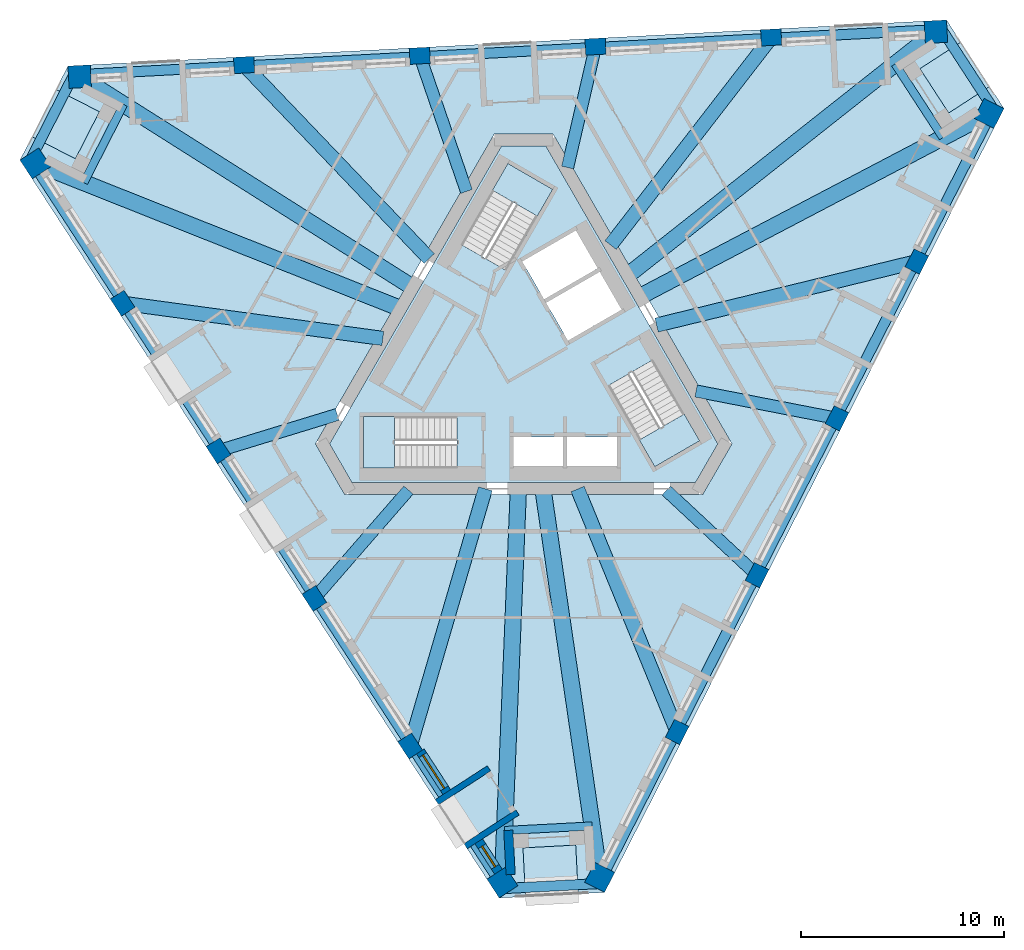
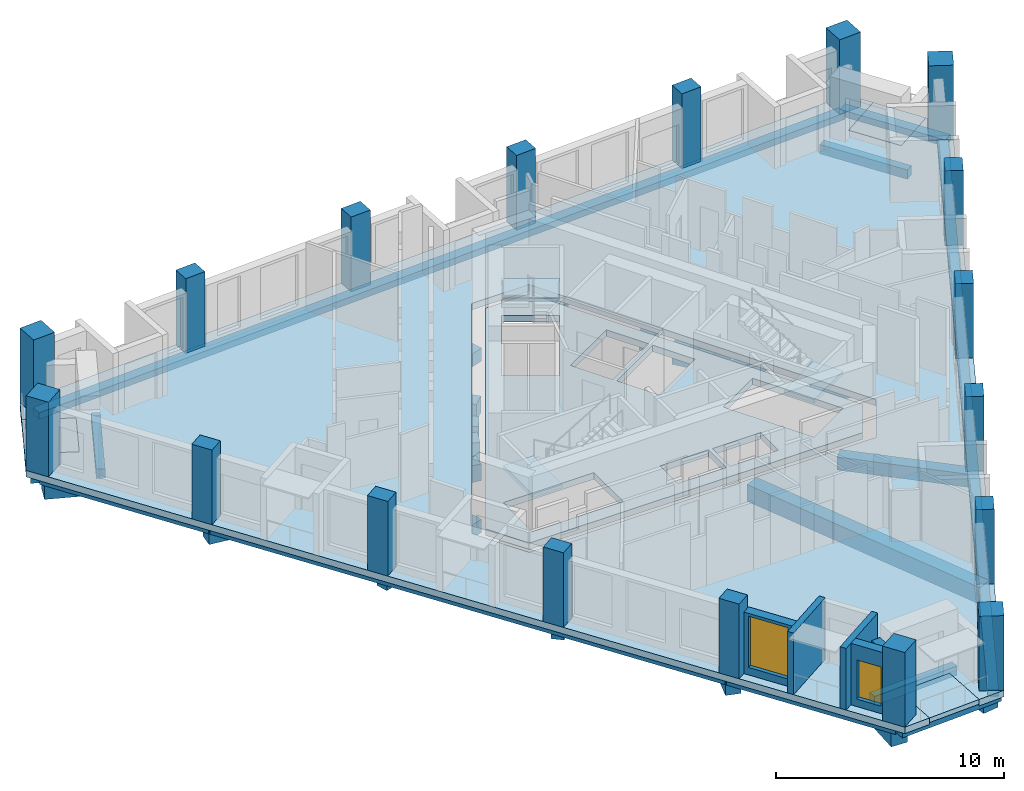
# One storey, part 1 of 12: 27 beams, 18 columns, 8 slabs, 5 walls, 2 windows, 2 openings, 3 elements without a shape of their own.
"""IFC4 building model written with IfcOpenShell, lengths in metres."""

from ifc_helpers import new_model, si_unit, direction, frame, frame_2d, origin, origin_2d, place, context, subcontext, project, spatial, polyline, rectangle, outline, extrude, material, layer, layer_set, material_profile, profile_set, type_object, element, fill, aggregate, save


model = new_model("IFC4")

# Units and contexts
model_context = context("Model", 3, precision=1e-05, world=origin(), true_north=direction((0.0, 1.0)))
body_context = subcontext(model_context, "Body", "Model", "MODEL_VIEW")
ifc_project = project(units=[si_unit("LENGTHUNIT", "METRE"), si_unit("AREAUNIT", "SQUARE_METRE"), si_unit("VOLUMEUNIT", "CUBIC_METRE"), si_unit("PLANEANGLEUNIT", "RADIAN"), si_unit("MASSUNIT", "GRAM", prefix="KILO")], contexts=[model_context])

# Site, building, storey
site_placement = place(None, origin())
site = spatial("IfcSite", under=ifc_project, at=site_placement, CompositionType="ELEMENT")
building_placement = place(site_placement, origin())
building = spatial("IfcBuilding", under=site, at=building_placement, Name="Tramontana Tower", CompositionType="ELEMENT")
storey_placement = place(building_placement, frame((0.0, 0.0, 302.39990234375)))
storey = spatial("IfcBuildingStorey", under=building, at=storey_placement, Name="L71", CompositionType="ELEMENT", Elevation=302.39990234375)

# Columns
ifc_material_1 = material(Name="Concrete 55 MPa", Category="concrete")
ifc_material_profile_1 = material_profile(ifc_material_1, rectangle(XDim=1.10009765625, YDim=1.10009765625, at=origin_2d()), Name="Mega column 1100X1100 55 MPa")
ifc_profile_set_1 = profile_set([ifc_material_profile_1], Name="Concrete 55 MPa")
column_type_1 = type_object("IfcColumnType", Name="Mega column 1100X1100 55 MPa", PredefinedType="COLUMN", material=ifc_profile_set_1)
for number, where, z_axis, x_axis, name in (
    (1, (-24.0302734375, 9.55419921875, 0.0), (0.0, 0.0, 1.0), (0.544639035015, -0.838670567945, 0.0), "Mega column C7K1 L71"),
    (2, (-1.0458984375, -25.8388671875, 0.0), (0.0, 0.0, 1.0), (0.544639035015, -0.838670567945, 0.0), "Mega column C7K2 L71"),
    (3, (3.740966796875, -25.587890625, 0.0), (0.0, 0.0, 1.0), (0.45399049974, 0.891006524188, 0.0), "Mega column C7K3 L71"),
    (4, (22.900146484375, 12.013671875, 0.0), (0.0, 0.0, 1.0), (0.45399049974, 0.891006524188, 0.0), "Mega column C7K4 L71"),
    (5, (20.289306640625, 16.033935546875, 0.0), (0.0, 0.0, 1.0), (-0.998629534755, -0.052335956243, 0.0), "Mega column C7K5 L71"),
    (6, (-21.854248046875, 13.8251953125, 0.0), (0.0, 0.0, 1.0), (-0.998629534755, -0.052335956243, 0.0), "Mega column C7K6 L71"),
):
    element("IfcColumn", number, at=place(storey_placement, frame(where, z_axis=z_axis, x_axis=x_axis)), inside=storey, type_object=column_type_1, Name=name, PredefinedType="COLUMN", context=body_context, shape_type="SweptSolid", body=[
        extrude(rectangle(XDim=1.10009765625, YDim=1.10009765625, at=origin_2d()), origin(), (0.0, 0.0, 1.0), 4.0),
    ])
ifc_material_2 = material(Name="Concrete 55 MPa", Category="concrete")
ifc_material_profile_2 = material_profile(ifc_material_2, rectangle(XDim=1.0, YDim=0.800048828125, at=origin_2d()), Name="Pier column 1000X800 55 MPa")
ifc_profile_set_2 = profile_set([ifc_material_profile_2], Name="Concrete 55 MPa")
column_type_2 = type_object("IfcColumnType", Name="Pier column 1000X800 55 MPa", PredefinedType="COLUMN", material=ifc_profile_set_2)
for number, where, z_axis, x_axis, name in (
    (7, (-19.739013671875, 2.670654296875, 0.0), (0.0, 0.0, 1.0), (0.544639035015, -0.838670567945, 0.0), "Pier column C7F01 L71"),
    (8, (-15.022216796875, -4.592529296875, 0.0), (0.0, 0.0, 1.0), (0.544639035015, -0.838670567945, 0.0), "Pier column C7F02 L71"),
    (9, (-10.3056640625, -11.855712890625, 0.0), (0.0, 0.0, 1.0), (0.544639035015, -0.838670567945, 0.0), "Pier column C7F03 L71"),
    (10, (-5.5888671875, -19.11865234375, 0.0), (0.0, 0.0, 1.0), (0.544639035015, -0.838670567945, 0.0), "Pier column C7F04 L71"),
    (11, (7.556640625, -18.4296875, 0.0), (0.0, 0.0, 1.0), (0.45399049974, 0.891006524188, 0.0), "Pier column C7F05 L71"),
    (12, (11.48828125, -10.71337890625, 0.0), (0.0, 0.0, 1.0), (0.45399049974, 0.891006524188, 0.0), "Pier column C7F06 L71"),
    (13, (15.419921875, -2.9970703125, 0.0), (0.0, 0.0, 1.0), (0.45399049974, 0.891006524188, 0.0), "Pier column C7F07 L71"),
    (14, (19.351806640625, 4.71923828125, 0.0), (0.0, 0.0, 1.0), (0.45399049974, 0.891006524188, 0.0), "Pier column C7F08 L71"),
    (15, (12.182373046875, 15.75927734375, 0.0), (0.0, 0.0, 1.0), (-0.998629534755, -0.052335956243, 0.0), "Pier column C7F09 L71"),
    (16, (3.533935546875, 15.305908203125, 0.0), (0.0, 0.0, 1.0), (-0.998629534755, -0.052335956243, 0.0), "Pier column C7F10 L71"),
    (17, (-5.114501953125, 14.852783203125, 0.0), (0.0, 0.0, 1.0), (-0.998629534755, -0.052335956243, 0.0), "Pier column C7F11 L71"),
    (18, (-13.762939453125, 14.3994140625, 0.0), (0.0, 0.0, 1.0), (-0.998629534755, -0.052335956243, 0.0), "Pier column C7F12 L71"),
):
    element("IfcColumn", number, at=place(storey_placement, frame(where, z_axis=z_axis, x_axis=x_axis)), inside=storey, type_object=column_type_2, Name=name, PredefinedType="COLUMN", context=body_context, shape_type="SweptSolid", body=[
        extrude(rectangle(XDim=1.0, YDim=0.800048828125, at=origin_2d()), origin(), (0.0, 0.0, 1.0), 4.0),
    ])

# Beams
ifc_material_3 = material(Name="Concrete 40 MPa", Category="concrete")
ifc_material_profile_3 = material_profile(ifc_material_3, rectangle(XDim=0.5, YDim=0.35009765625, at=origin_2d()), Name="RC EDGE BEAM 500X350 40 MPa")
ifc_profile_set_3 = profile_set([ifc_material_profile_3], Name="Concrete 40 MPa")
beam_type_1 = type_object("IfcBeamType", Name="RC EDGE BEAM 500X350 40 MPa", PredefinedType="SPANDREL", material=ifc_profile_set_3)
beam_1_placement = place(storey_placement, frame((-24.1142578125, 9.499755859375, -0.52490234375), z_axis=(0.544636517119, -0.838672203081, 0.0), x_axis=(0.838672203081, 0.544636517119, 0.0)))
element("IfcBeam", 19, at=beam_1_placement, inside=storey, type_object=beam_type_1, Name="Spandrel beam S0 L71", PredefinedType="SPANDREL", context=body_context, shape_type="SweptSolid", body=[
    extrude(rectangle(XDim=0.5, YDim=0.35009765625, at=origin_2d()), origin(), (0.0, 0.0, 1.0), 42.201416015625),
])
beam_2_placement = place(storey_placement, frame((3.830078125, -25.63330078125, -0.52490234375), z_axis=(0.453990170761, 0.891006691811, 0.0), x_axis=(-0.891006691811, 0.453990170761, 0.0)))
element("IfcBeam", 20, at=beam_2_placement, inside=storey, type_object=beam_type_1, Name="Spandrel beam S1 L71", PredefinedType="SPANDREL", context=body_context, shape_type="SweptSolid", body=[
    extrude(rectangle(XDim=0.5, YDim=0.35009765625, at=origin_2d()), origin(), (0.0, 0.0, 1.0), 42.201171875),
])
beam_3_placement = place(storey_placement, frame((20.2841796875, 16.1337890625, -0.52490234375), z_axis=(-0.998629423141, -0.052338085918, 0.0), x_axis=(0.052338085918, -0.998629423141, 0.0)))
element("IfcBeam", 21, at=beam_3_placement, inside=storey, type_object=beam_type_1, Name="Spandrel beam S2 L71", PredefinedType="SPANDREL", context=body_context, shape_type="SweptSolid", body=[
    extrude(rectangle(XDim=0.5, YDim=0.35009765625, at=origin_2d()), origin(), (0.0, 0.0, 1.0), 42.201416015625),
])
for number, where, z_axis, x_axis, name in (
    (22, (-22.03125, 14.141357421875, -0.52490234375), (-0.453966603753, -0.891018699398, 0.0), (0.891018699398, -0.453966603753, 0.0), "Spandrel beam K0 L71"),
    (23, (-1.231201171875, -26.150390625, -0.52490234375), (0.99862935635, 0.05233936029, 0.0), (-0.05233936029, 0.99862935635, 0.0), "Spandrel beam K1 L71"),
    (24, (23.262451171875, 12.0087890625, -0.52490234375), (-0.544641495757, 0.838668969916, 0.0), (-0.838668969916, -0.544641495757, 0.0), "Spandrel beam K2 L71"),
):
    element("IfcBeam", number, at=place(storey_placement, frame(where, z_axis=z_axis, x_axis=x_axis)), inside=storey, type_object=beam_type_1, Name=name, PredefinedType="SPANDREL", context=body_context, shape_type="SweptSolid", body=[
        extrude(rectangle(XDim=0.5, YDim=0.35009765625, at=origin_2d()), origin(), (0.0, 0.0, 1.0), 5.1962890625),
    ])
ifc_material_4 = material(Name="Concrete 40 MPa", Category="concrete")
ifc_material_profile_4 = material_profile(ifc_material_4, rectangle(XDim=0.60009765625, YDim=0.699951171875, at=origin_2d()), Name="RC GIRDER 600X700 40 MPa")
ifc_profile_set_4 = profile_set([ifc_material_profile_4], Name="Concrete 40 MPa")
beam_type_2 = type_object("IfcBeamType", Name="RC GIRDER 600X700 40 MPa", PredefinedType="BEAM", material=ifc_profile_set_4)
beam_4_placement = place(storey_placement, frame((-15.022216796875, -4.592529296875, -0.699951171875), z_axis=(0.956311245936, 0.292350476137, 0.0), x_axis=(-0.292350476137, 0.956311245936, 0.0)))
element("IfcBeam", 25, at=beam_4_placement, inside=storey, type_object=beam_type_2, Name="Radial girder C7F02 L71", PredefinedType="BEAM", context=body_context, shape_type="SweptSolid", body=[
    extrude(rectangle(XDim=0.60009765625, YDim=0.699951171875, at=origin_2d()), origin(), (0.0, 0.0, 1.0), 6.111328125),
])
beam_5_placement = place(storey_placement, frame((-10.3056640625, -11.855712890625, -0.699951171875), z_axis=(0.656054652409, 0.754713384705, 0.0), x_axis=(-0.754713384705, 0.656054652409, 0.0)))
element("IfcBeam", 26, at=beam_5_placement, inside=storey, type_object=beam_type_2, Name="Radial girder C7F03 L71", PredefinedType="BEAM", context=body_context, shape_type="SweptSolid", body=[
    extrude(rectangle(XDim=0.60009765625, YDim=0.699951171875, at=origin_2d()), origin(), (0.0, 0.0, 1.0), 7.06494140625),
])
beam_6_placement = place(storey_placement, frame((11.48828125, -10.71337890625, -0.699951171875), z_axis=(-0.731344808312, 0.682007896843, 0.0), x_axis=(-0.682007896843, -0.731344808312, 0.0)))
element("IfcBeam", 27, at=beam_6_placement, inside=storey, type_object=beam_type_2, Name="Radial girder C7F06 L71", PredefinedType="BEAM", context=body_context, shape_type="SweptSolid", body=[
    extrude(rectangle(XDim=0.60009765625, YDim=0.699951171875, at=origin_2d()), origin(), (0.0, 0.0, 1.0), 6.111328125),
])
beam_7_placement = place(storey_placement, frame((15.419921875, -2.9970703125, -0.699951171875), z_axis=(-0.981630853668, 0.190790112761, 0.0), x_axis=(-0.190790112761, -0.981630853668, 0.0)))
element("IfcBeam", 28, at=beam_7_placement, inside=storey, type_object=beam_type_2, Name="Radial girder C7F07 L71", PredefinedType="BEAM", context=body_context, shape_type="SweptSolid", body=[
    extrude(rectangle(XDim=0.60009765625, YDim=0.699951171875, at=origin_2d()), origin(), (0.0, 0.0, 1.0), 7.06494140625),
])
beam_8_placement = place(storey_placement, frame((3.533935546875, 15.305908203125, -0.699951171875), z_axis=(-0.224955788451, -0.974368971818, 0.0), x_axis=(0.974368971818, -0.224955788451, 0.0)))
element("IfcBeam", 29, at=beam_8_placement, inside=storey, type_object=beam_type_2, Name="Radial girder C7F10 L71", PredefinedType="BEAM", context=body_context, shape_type="SweptSolid", body=[
    extrude(rectangle(XDim=0.60009765625, YDim=0.699951171875, at=origin_2d()), origin(), (0.0, 0.0, 1.0), 6.111328125),
])
beam_9_placement = place(storey_placement, frame((-5.114501953125, 14.852783203125, -0.699951171875), z_axis=(0.325583843266, -0.945513173364, 0.0), x_axis=(0.945513173364, 0.325583843266, 0.0)))
element("IfcBeam", 30, at=beam_9_placement, inside=storey, type_object=beam_type_2, Name="Radial girder C7F11 L71", PredefinedType="BEAM", context=body_context, shape_type="SweptSolid", body=[
    extrude(rectangle(XDim=0.60009765625, YDim=0.699951171875, at=origin_2d()), origin(), (0.0, 0.0, 1.0), 7.065185546875),
])
ifc_material_5 = material(Name="Concrete 40 MPa", Category="concrete")
ifc_material_profile_5 = material_profile(ifc_material_5, rectangle(XDim=0.699951171875, YDim=0.89990234375, at=origin_2d()), Name="RC GIRDER 700X900 40 MPa")
ifc_profile_set_5 = profile_set([ifc_material_profile_5], Name="Concrete 40 MPa")
beam_type_3 = type_object("IfcBeamType", Name="RC GIRDER 700X900 40 MPa", PredefinedType="BEAM", material=ifc_profile_set_5)
beam_10_placement = place(storey_placement, frame((-19.739013671875, 2.670654296875, -0.7998046875), z_axis=(0.990971820042, -0.134070324396, 0.0), x_axis=(0.134070324396, 0.990971820042, 0.0)))
element("IfcBeam", 31, at=beam_10_placement, inside=storey, type_object=beam_type_3, Name="Radial girder C7F01 L71", PredefinedType="BEAM", context=body_context, shape_type="SweptSolid", body=[
    extrude(rectangle(XDim=0.699951171875, YDim=0.89990234375, at=origin_2d()), origin(), (0.0, 0.0, 1.0), 12.923583984375),
])
beam_11_placement = place(storey_placement, frame((-5.5888671875, -19.11865234375, -0.7998046875), z_axis=(0.280592184152, 0.959827081402, 0.0), x_axis=(-0.959827081402, 0.280592184152, 0.0)))
element("IfcBeam", 32, at=beam_11_placement, inside=storey, type_object=beam_type_3, Name="Radial girder C7F04 L71", PredefinedType="BEAM", context=body_context, shape_type="SweptSolid", body=[
    extrude(rectangle(XDim=0.699951171875, YDim=0.89990234375, at=origin_2d()), origin(), (0.0, 0.0, 1.0), 13.186279296875),
])
beam_12_placement = place(storey_placement, frame((7.556640625, -18.4296875, -0.7998046875), z_axis=(-0.379376408021, 0.925242422848, 0.0), x_axis=(-0.925242422848, -0.379376408021, 0.0)))
element("IfcBeam", 33, at=beam_12_placement, inside=storey, type_object=beam_type_3, Name="Radial girder C7F05 L71", PredefinedType="BEAM", context=body_context, shape_type="SweptSolid", body=[
    extrude(rectangle(XDim=0.699951171875, YDim=0.89990234375, at=origin_2d()), origin(), (0.0, 0.0, 1.0), 12.92333984375),
])
beam_13_placement = place(storey_placement, frame((19.351806640625, 4.71923828125, -0.7998046875), z_axis=(-0.971531149173, -0.2369118532, 0.0), x_axis=(0.2369118532, -0.971531149173, 0.0)))
element("IfcBeam", 34, at=beam_13_placement, inside=storey, type_object=beam_type_3, Name="Radial girder C7F08 L71", PredefinedType="BEAM", context=body_context, shape_type="SweptSolid", body=[
    extrude(rectangle(XDim=0.699951171875, YDim=0.89990234375, at=origin_2d()), origin(), (0.0, 0.0, 1.0), 13.1865234375),
])
beam_14_placement = place(storey_placement, frame((12.182373046875, 15.75927734375, -0.7998046875), z_axis=(-0.611594268049, -0.791171568808, 0.0), x_axis=(0.791171568808, -0.611594268049, 0.0)))
element("IfcBeam", 35, at=beam_14_placement, inside=storey, type_object=beam_type_3, Name="Radial girder C7F09 L71", PredefinedType="BEAM", context=body_context, shape_type="SweptSolid", body=[
    extrude(rectangle(XDim=0.699951171875, YDim=0.89990234375, at=origin_2d()), origin(), (0.0, 0.0, 1.0), 12.923583984375),
])
beam_15_placement = place(storey_placement, frame((-13.762939453125, 14.3994140625, -0.7998046875), z_axis=(0.69094809316, -0.722904373039, 0.0), x_axis=(0.722904373039, 0.69094809316, 0.0)))
element("IfcBeam", 36, at=beam_15_placement, inside=storey, type_object=beam_type_3, Name="Radial girder C7F12 L71", PredefinedType="BEAM", context=body_context, shape_type="SweptSolid", body=[
    extrude(rectangle(XDim=0.699951171875, YDim=0.89990234375, at=origin_2d()), origin(), (0.0, 0.0, 1.0), 13.186279296875),
])
ifc_material_6 = material(Name="Concrete 40 MPa", Category="concrete")
ifc_material_profile_6 = material_profile(ifc_material_6, rectangle(XDim=0.800048828125, YDim=1.10009765625, at=origin_2d()), Name="RC GIRDER 800X1100 40 MPa")
ifc_profile_set_6 = profile_set([ifc_material_profile_6], Name="Concrete 40 MPa")
beam_type_4 = type_object("IfcBeamType", Name="RC GIRDER 800X1100 40 MPa", PredefinedType="BEAM", material=ifc_profile_set_6)
beam_16_placement = place(storey_placement, frame((-24.030517578125, 9.55419921875, -0.89990234375), z_axis=(0.929246961318, -0.369459178912, 0.0), x_axis=(0.369459178912, 0.929246961318, 0.0)))
element("IfcBeam", 37, at=beam_16_placement, inside=storey, type_object=beam_type_4, Name="Radial girder C7K1 L71", PredefinedType="BEAM", context=body_context, shape_type="SweptSolid", body=[
    extrude(rectangle(XDim=0.800048828125, YDim=1.10009765625, at=origin_2d()), origin(), (0.0, 0.0, 1.0), 19.33837890625),
])
beam_17_placement = place(storey_placement, frame((-1.0458984375, -25.8388671875, -0.89990234375), z_axis=(0.040449893492, 0.999181568143, 0.0), x_axis=(-0.999181568143, 0.040449893492, 0.0)))
element("IfcBeam", 38, at=beam_17_placement, inside=storey, type_object=beam_type_4, Name="Radial girder C7K2 L71", PredefinedType="BEAM", context=body_context, shape_type="SweptSolid", body=[
    extrude(rectangle(XDim=0.800048828125, YDim=1.10009765625, at=origin_2d()), origin(), (0.0, 0.0, 1.0), 19.404541015625),
])
beam_18_placement = place(storey_placement, frame((3.7412109375, -25.587890625, -0.89990234375), z_axis=(-0.144667438406, 0.989480334451, 0.0), x_axis=(-0.989480334451, -0.144667438406, 0.0)))
element("IfcBeam", 39, at=beam_18_placement, inside=storey, type_object=beam_type_4, Name="Radial girder C7K3 L71", PredefinedType="BEAM", context=body_context, shape_type="SweptSolid", body=[
    extrude(rectangle(XDim=0.800048828125, YDim=1.10009765625, at=origin_2d()), origin(), (0.0, 0.0, 1.0), 19.338134765625),
])
beam_19_placement = place(storey_placement, frame((22.89990234375, 12.013671875, -0.89990234375), z_axis=(-0.885538061337, -0.46456683257, 0.0), x_axis=(0.46456683257, -0.885538061337, 0.0)))
element("IfcBeam", 40, at=beam_19_placement, inside=storey, type_object=beam_type_4, Name="Radial girder C7K4 L71", PredefinedType="BEAM", context=body_context, shape_type="SweptSolid", body=[
    extrude(rectangle(XDim=0.800048828125, YDim=1.10009765625, at=origin_2d()), origin(), (0.0, 0.0, 1.0), 19.404296875),
])
beam_20_placement = place(storey_placement, frame((20.289306640625, 16.03369140625, -0.89990234375), z_axis=(-0.784585689125, -0.620020400003, 0.0), x_axis=(0.620020400003, -0.784585689125, 0.0)))
element("IfcBeam", 41, at=beam_20_placement, inside=storey, type_object=beam_type_4, Name="Radial girder C7K5 L71", PredefinedType="BEAM", context=body_context, shape_type="SweptSolid", body=[
    extrude(rectangle(XDim=0.800048828125, YDim=1.10009765625, at=origin_2d()), origin(), (0.0, 0.0, 1.0), 19.338134765625),
])
beam_21_placement = place(storey_placement, frame((-21.85400390625, 13.8251953125, -0.89990234375), z_axis=(0.845090437102, -0.53462337502, 0.0), x_axis=(0.53462337502, 0.845090437102, 0.0)))
element("IfcBeam", 42, at=beam_21_placement, inside=storey, type_object=beam_type_4, Name="Radial girder C7K6 L71", PredefinedType="BEAM", context=body_context, shape_type="SweptSolid", body=[
    extrude(rectangle(XDim=0.800048828125, YDim=1.10009765625, at=origin_2d()), origin(), (0.0, 0.0, 1.0), 19.404296875),
])
ifc_material_7 = material(Name="Concrete 40 MPa", Category="concrete")
ifc_material_profile_7 = material_profile(ifc_material_7, rectangle(XDim=0.39990234375, YDim=0.5, at=origin_2d()), Name="RC TRIM BEAM 400X500 40 MPa")
ifc_profile_set_7 = profile_set([ifc_material_profile_7], Name="Concrete 40 MPa")
beam_type_5 = type_object("IfcBeamType", Name="RC TRIM BEAM 400X500 40 MPa", PredefinedType="JOIST", material=ifc_profile_set_7)
for number, where, z_axis, x_axis, name in (
    (43, (-19.69091796875, 12.456787109375, -0.599853515625), (-0.454006220993, -0.890998513635, 0.0), (0.890998513635, -0.454006220993, 0.0), "Trimmer beam K0 L71"),
    (44, (-0.9423828125, -23.28125, -0.599853515625), (0.998629204559, 0.052342256377, 0.0), (-0.052342256377, 0.998629204559, 0.0), "Trimmer beam K1 L71"),
    (45, (20.63330078125, 10.824462890625, -0.599853515625), (-0.544628679426, 0.838677292853, 0.0), (-0.838677292853, -0.544628679426, 0.0), "Trimmer beam K2 L71"),
):
    element("IfcBeam", number, at=place(storey_placement, frame(where, z_axis=z_axis, x_axis=x_axis)), inside=storey, type_object=beam_type_5, Name=name, PredefinedType="JOIST", context=body_context, shape_type="SweptSolid", body=[
        extrude(rectangle(XDim=0.39990234375, YDim=0.5, at=origin_2d()), origin(), (0.0, 0.0, 1.0), 4.319091796875),
    ])

# Slabs
ifc_material_8 = material(Name="Precast concrete 50 MPa", Category="concrete")
ifc_layer_1 = layer(ifc_material_8, 0.25)
ifc_layer_set_1 = layer_set([ifc_layer_1], Name="LT1 Loggia floor tray 250")
slab_type_1 = type_object("IfcSlabType", Name="LT1 Loggia floor tray 250", PredefinedType="FLOOR", material=ifc_layer_set_1)
slab_1_placement = place(storey_placement, frame((0.0, 0.0, -0.25)))
element("IfcSlab", 46, at=slab_1_placement, inside=storey, type_object=slab_type_1, Name="Corner loggia floor L71 K70", PredefinedType="FLOOR", context=body_context, shape_type="SweptSolid", body=[
    extrude(outline(polyline([(-23.021484375, 13.18896484375), (-20.883056640625, 12.099365234375), (-22.0634765625, 9.782958984375), (-24.201904296875, 10.87255859375), (-23.021484375, 13.18896484375)])), origin(), (0.0, 0.0, 1.0), 0.25),
])
slab_2_placement = place(storey_placement, frame((0.0, 0.0, -0.25)))
element("IfcSlab", 47, at=slab_2_placement, inside=storey, type_object=slab_type_1, Name="Corner loggia floor L71 K71", PredefinedType="FLOOR", context=body_context, shape_type="SweptSolid", body=[
    extrude(outline(polyline([(0.088623046875, -26.53173828125), (-0.036865234375, -24.135009765625), (2.5595703125, -23.9990234375), (2.68505859375, -26.395751953125), (0.088623046875, -26.53173828125)])), origin(), (0.0, 0.0, 1.0), 0.25),
])
slab_3_placement = place(storey_placement, frame((0.0, 0.0, -0.25)))
element("IfcSlab", 48, at=slab_3_placement, inside=storey, type_object=slab_type_1, Name="Corner loggia floor L71 K72", PredefinedType="FLOOR", context=body_context, shape_type="SweptSolid", body=[
    extrude(outline(polyline([(22.932861328125, 13.3427734375), (20.919921875, 12.03564453125), (19.50390625, 14.216064453125), (21.516845703125, 15.523193359375), (22.932861328125, 13.3427734375)])), origin(), (0.0, 0.0, 1.0), 0.25),
])
ifc_material_9 = material(Name="Concrete 40 MPa", Category="concrete")
ifc_layer_2 = layer(ifc_material_9, 0.35009765625)
ifc_layer_set_2 = layer_set([ifc_layer_2], Name="PT FLAT SLAB 350 40 MPa")
slab_type_2 = type_object("IfcSlabType", Name="PT FLAT SLAB 350 40 MPa", PredefinedType="FLOOR", material=ifc_layer_set_2)
slab_4_placement = place(storey_placement, frame((0.0, 0.0, -0.349853515625)))
element("IfcSlab", 49, at=slab_4_placement, inside=storey, type_object=slab_type_2, Name="Floor slab L71", PredefinedType="FLOOR", context=body_context, shape_type="SweptSolid", body=[
    extrude(outline(polyline([(21.5166015625, 15.523193359375), (19.50390625, 14.216064453125), (20.919921875, 12.035400390625), (22.932861328125, 13.3427734375), (23.639892578125, 12.25390625), (3.9814453125, -26.32763671875), (2.68505859375, -26.3955078125), (2.5595703125, -23.998779296875), (-0.036865234375, -24.135009765625), (0.088623046875, -26.53173828125), (-1.20751953125, -26.599609375), (-24.791259765625, 9.7158203125), (-24.201904296875, 10.872314453125), (-22.0634765625, 9.782958984375), (-20.883056640625, 12.099609375), (-23.021484375, 13.189208984375), (-22.43212890625, 14.345703125), (20.809814453125, 16.61181640625), (21.5166015625, 15.523193359375)]), holes=[polyline([(-10.248046875, -4.25), (-8.8046875, -6.75), (8.8046875, -6.75), (10.248046875, -4.25), (1.443359375, 11.0), (-1.443359375, 11.0), (-10.248046875, -4.25)])]), origin(), (0.0, 0.0, 1.0), 0.349853515625),
])
slab_5_placement = place(storey_placement, frame((0.0, 0.0, -0.349853515625)))
element("IfcSlab", 50, at=slab_5_placement, inside=storey, type_object=slab_type_2, Name="Core floor slab L71", PredefinedType="FLOOR", context=body_context, shape_type="SweptSolid", body=[
    extrude(outline(polyline([(9.55517578125, -4.25), (8.458251953125, -6.14990234375), (-8.458251953125, -6.14990234375), (-9.55517578125, -4.25), (-1.096923828125, 10.39990234375), (1.096923828125, 10.39990234375), (9.55517578125, -4.25)]), holes=[polyline([(8.659912109375, -4.099365234375), (6.35986328125, -0.115478515625), (4.151611328125, -1.390625), (6.451416015625, -5.374267578125), (8.659912109375, -4.099365234375)]), polyline([(3.829833984375, 4.2666015625), (1.101806640625, 2.69140625), (2.177001953125, 0.82958984375), (4.90478515625, 2.404541015625), (3.829833984375, 4.2666015625)]), polyline([(4.590087890625, -3.89990234375), (2.139892578125, -3.89990234375), (2.139892578125, -5.449951171875), (4.590087890625, -5.449951171875), (4.590087890625, -3.89990234375)]), polyline([(2.65478515625, 6.3017578125), (-0.072998046875, 4.726806640625), (1.001953125, 2.86474609375), (3.729736328125, 4.439697265625), (2.65478515625, 6.3017578125)]), polyline([(1.93994140625, -5.449951171875), (1.93994140625, -3.89990234375), (-0.510009765625, -3.89990234375), (-0.510009765625, -5.449951171875), (1.93994140625, -5.449951171875)]), polyline([(-0.77978515625, 9.54931640625), (-3.079833984375, 5.565673828125), (-0.87158203125, 4.29052734375), (1.428466796875, 8.2744140625), (-0.77978515625, 9.54931640625)]), polyline([(-7.8798828125, -5.449951171875), (-3.280029296875, -5.449951171875), (-3.280029296875, -2.89990234375), (-7.8798828125, -2.89990234375), (-7.8798828125, -5.449951171875)])]), origin(), (0.0, 0.0, 1.0), 0.349853515625),
])

# Stair, slab
ifc_material_10 = material(Name="Concrete 40 MPa", Category="concrete")
stair_type = type_object("IfcStairType", Name="EXIT STAIR 24 RISERS", PredefinedType="HALF_TURN_STAIR", material=ifc_material_10)
stair_1_placement = place(storey_placement, origin())
stair_1 = element("IfcStair", 51, at=stair_1_placement, inside=storey, type_object=stair_type, Name="L71 Exit stair ST1", PredefinedType="HALF_TURN_STAIR")
ifc_material_11 = material(Name="Concrete 40 MPa", Category="concrete")
ifc_layer_3 = layer(ifc_material_11, 0.199951171875)
ifc_layer_set_3 = layer_set([ifc_layer_3], Name="STAIR LANDING 200")
slab_type_3 = type_object("IfcSlabType", Name="STAIR LANDING 200", PredefinedType="LANDING", material=ifc_layer_set_3)
slab_6_placement = place(storey_placement, frame((0.0, 0.0, 1.800048828125)))
slab_6 = element("IfcSlab", 52, at=slab_6_placement, type_object=slab_type_3, Name="ST1 landing 1", PredefinedType="LANDING", context=body_context, shape_type="SweptSolid", body=[
    extrude(outline(polyline([(0.66845703125, 6.9580078125), (1.428466796875, 8.274169921875), (-0.77978515625, 9.54931640625), (-1.539794921875, 8.23291015625), (0.66845703125, 6.9580078125)])), origin(), (0.0, 0.0, 1.0), 0.199951171875),
])
aggregate(stair_1, [slab_6])

stair_2_placement = place(storey_placement, origin())
stair_2 = element("IfcStair", 53, at=stair_2_placement, inside=storey, type_object=stair_type, Name="L71 Exit stair ST2", PredefinedType="HALF_TURN_STAIR")
slab_7_placement = place(storey_placement, frame((0.0, 0.0, 1.800048828125)))
slab_7 = element("IfcSlab", 54, at=slab_7_placement, type_object=slab_type_3, Name="ST2 landing 1", PredefinedType="LANDING", context=body_context, shape_type="SweptSolid", body=[
    extrude(outline(polyline([(-6.360107421875, -2.89990234375), (-7.8798828125, -2.89990234375), (-7.8798828125, -5.449951171875), (-6.360107421875, -5.449951171875), (-6.360107421875, -2.89990234375)])), origin(), (0.0, 0.0, 1.0), 0.199951171875),
])
aggregate(stair_2, [slab_7])

stair_3_placement = place(storey_placement, origin())
stair_3 = element("IfcStair", 55, at=stair_3_placement, inside=storey, type_object=stair_type, Name="L71 Exit stair ST3", PredefinedType="HALF_TURN_STAIR")
slab_8_placement = place(storey_placement, frame((0.0, 0.0, 1.800048828125)))
slab_8 = element("IfcSlab", 56, at=slab_8_placement, type_object=slab_type_3, Name="ST3 landing 1", PredefinedType="LANDING", context=body_context, shape_type="SweptSolid", body=[
    extrude(outline(polyline([(5.69140625, -4.057861328125), (6.451416015625, -5.374267578125), (8.659912109375, -4.099365234375), (7.89990234375, -2.782958984375), (5.69140625, -4.057861328125)])), origin(), (0.0, 0.0, 1.0), 0.199951171875),
])
aggregate(stair_3, [slab_8])

# Wall, opening, window
ifc_material_12 = material(Name="Precast concrete 60 MPa", Category="concrete")
ifc_layer_4 = layer(ifc_material_12, 0.449951171875)
ifc_layer_set_4 = layer_set([ifc_layer_4], Name="Precast concrete 60 MPa, 450 mm")
wall_type_1 = type_object("IfcWallType", Name="EW1 Stone-faced precast wall 450", PredefinedType="SOLIDWALL", material=ifc_layer_set_4)
wall_1_placement = place(storey_placement, frame((-5.0859375, -19.38818359375, 0.0), z_axis=(0.0, 0.0, 1.0), x_axis=(0.544675520966, -0.838646872563, 0.0)))
wall_1 = element("IfcWall", 57, at=wall_1_placement, inside=storey, type_object=wall_type_1, Name="External wall L71 face 0 bay 5", PredefinedType="SOLIDWALL", context=body_context, shape_type="SweptSolid", body=[
    extrude(rectangle(XDim=2.38671875, YDim=0.449951171875, at=frame_2d((1.193359375, 0.0))), origin(), (0.0, 0.0, 1.0), 3.300048828125),
])
opening_1_placement = place(wall_1_placement, frame((0.21826171875, 0.0, 0.39990234375)))
opening_1 = element("IfcOpeningElement", 58, at=opening_1_placement, cuts=wall_1, Name="Opening M3", PredefinedType="OPENING", context=body_context, shape_type="SweptSolid", body=[
    extrude(rectangle(XDim=1.949951171875, YDim=2.75, at=frame_2d((0.97509765625, 1.375))), frame((0.0, 0.23486328125, 0.0), z_axis=(0.0, -1.0, 0.0), x_axis=(1.0, 0.0, 0.0)), (0.0, 0.0, 1.0), 0.469970703125),
])
ifc_material_13 = material(Name="Aluminum frame, double glazing unit", Category="aluminium")
window_type_1 = type_object("IfcWindowType", Name="M3 Window 1.95 x 2.75", PartitioningType="SINGLE_PANEL", PredefinedType="WINDOW", material=ifc_material_13)
window_1_placement = place(opening_1_placement, origin())
window_1 = element("IfcWindow", 59, at=window_1_placement, inside=storey, type_object=window_type_1, Name="Window M3 L71 face 0 module 13", OverallHeight=2.75, OverallWidth=1.949951171875, PartitioningType="SINGLE_PANEL", PredefinedType="WINDOW", context=body_context, shape_type="SweptSolid", body=[
    extrude(rectangle(XDim=1.949951171875, YDim=2.75, at=frame_2d((0.97509765625, 1.375))), frame((0.0, 0.030029296875, 0.0), z_axis=(0.0, -1.0, 0.0), x_axis=(1.0, 0.0, 0.0)), (0.0, 0.0, 1.0), 0.06005859375),
])
fill(opening_1, window_1)

wall_2_placement = place(storey_placement, frame((-2.2138671875, -23.81103515625, 0.0), z_axis=(0.0, 0.0, 1.0), x_axis=(0.544632902776, -0.838674550236, 0.0)))
wall_2 = element("IfcWall", 60, at=wall_2_placement, inside=storey, type_object=wall_type_1, Name="External wall L71 face 0 bay 5", PredefinedType="SOLIDWALL", context=body_context, shape_type="SweptSolid", body=[
    extrude(rectangle(XDim=1.786865234375, YDim=0.449951171875, at=frame_2d((0.8935546875, 0.0))), origin(), (0.0, 0.0, 1.0), 3.300048828125),
])
opening_2_placement = place(wall_2_placement, frame((0.29345703125, 0.0, 0.39990234375)))
opening_2 = element("IfcOpeningElement", 61, at=opening_2_placement, cuts=wall_2, Name="Opening N3L", PredefinedType="OPENING", context=body_context, shape_type="SweptSolid", body=[
    extrude(rectangle(XDim=1.199951171875, YDim=2.10009765625, at=frame_2d((0.60009765625, 1.050048828125))), frame((0.0, 0.23486328125, 0.0), z_axis=(0.0, -1.0, 0.0), x_axis=(1.0, 0.0, 0.0)), (0.0, 0.0, 1.0), 0.469970703125),
])
ifc_material_14 = material(Name="Aluminum frame, double glazing unit", Category="aluminium")
window_type_2 = type_object("IfcWindowType", Name="N3L Window 1.2 x 2.1", PartitioningType="SINGLE_PANEL", PredefinedType="WINDOW", material=ifc_material_14)
window_2_placement = place(opening_2_placement, origin())
window_2 = element("IfcWindow", 62, at=window_2_placement, inside=storey, type_object=window_type_2, Name="Window N3L L71 face 0 module 15", OverallHeight=2.10009765625, OverallWidth=1.199951171875, PartitioningType="SINGLE_PANEL", PredefinedType="WINDOW", context=body_context, shape_type="SweptSolid", body=[
    extrude(rectangle(XDim=1.199951171875, YDim=2.10009765625, at=frame_2d((0.60009765625, 1.050048828125))), frame((0.0, 0.030029296875, 0.0), z_axis=(0.0, -1.0, 0.0), x_axis=(1.0, 0.0, 0.0)), (0.0, 0.0, 1.0), 0.06005859375),
])
fill(opening_2, window_2)

# Walls
wall_3_placement = place(storey_placement, frame((-0.64404296875, -25.44775390625, 0.0), z_axis=(0.0, 0.0, 1.0), x_axis=(-0.052317751649, 0.998630488651, 0.0)))
element("IfcWall", 63, at=wall_3_placement, inside=storey, type_object=wall_type_1, Name="Corner loggia side wall L71 K71r", PredefinedType="SOLIDWALL", context=body_context, shape_type="SweptSolid", body=[
    extrude(rectangle(XDim=2.17919921875, YDim=0.449951171875, at=frame_2d((1.089599609375, 0.0))), origin(), (0.0, 0.0, 1.0), 2.550048828125),
])
ifc_material_15 = material(Name="Precast concrete 60 MPa", Category="concrete")
ifc_layer_5 = layer(ifc_material_15, 0.300048828125)
ifc_layer_set_5 = layer_set([ifc_layer_5], Name="LW1 Stone-faced loggia wall 300")
wall_type_2 = type_object("IfcWallType", Name="LW1 Stone-faced loggia wall 300", PredefinedType="SOLIDWALL", material=ifc_layer_set_5)
wall_4_placement = place(storey_placement, frame((-4.2705078125, -21.88330078125, 0.0), z_axis=(0.0, 0.0, 1.0), x_axis=(0.838688583525, 0.544611292451, 0.0)))
element("IfcWall", 64, at=wall_4_placement, inside=storey, type_object=wall_type_2, Name="Loggia return L71 G7S0.13a", PredefinedType="SOLIDWALL", context=body_context, shape_type="SweptSolid", body=[
    extrude(rectangle(XDim=3.050048828125, YDim=0.300048828125, at=frame_2d((1.52490234375, 0.0))), origin(), (0.0, 0.0, 1.0), 3.300048828125),
])
wall_5_placement = place(storey_placement, frame((-2.861572265625, -24.052734375, 0.0), z_axis=(0.0, 0.0, 1.0), x_axis=(0.838664840319, 0.544647854685, 0.0)))
element("IfcWall", 65, at=wall_5_placement, inside=storey, type_object=wall_type_2, Name="Loggia return L71 G7S0.13b", PredefinedType="SOLIDWALL", context=body_context, shape_type="SweptSolid", body=[
    extrude(rectangle(XDim=3.0498046875, YDim=0.300048828125, at=frame_2d((1.52490234375, 0.0))), origin(), (0.0, 0.0, 1.0), 3.300048828125),
])

save(model, "model.ifc")
